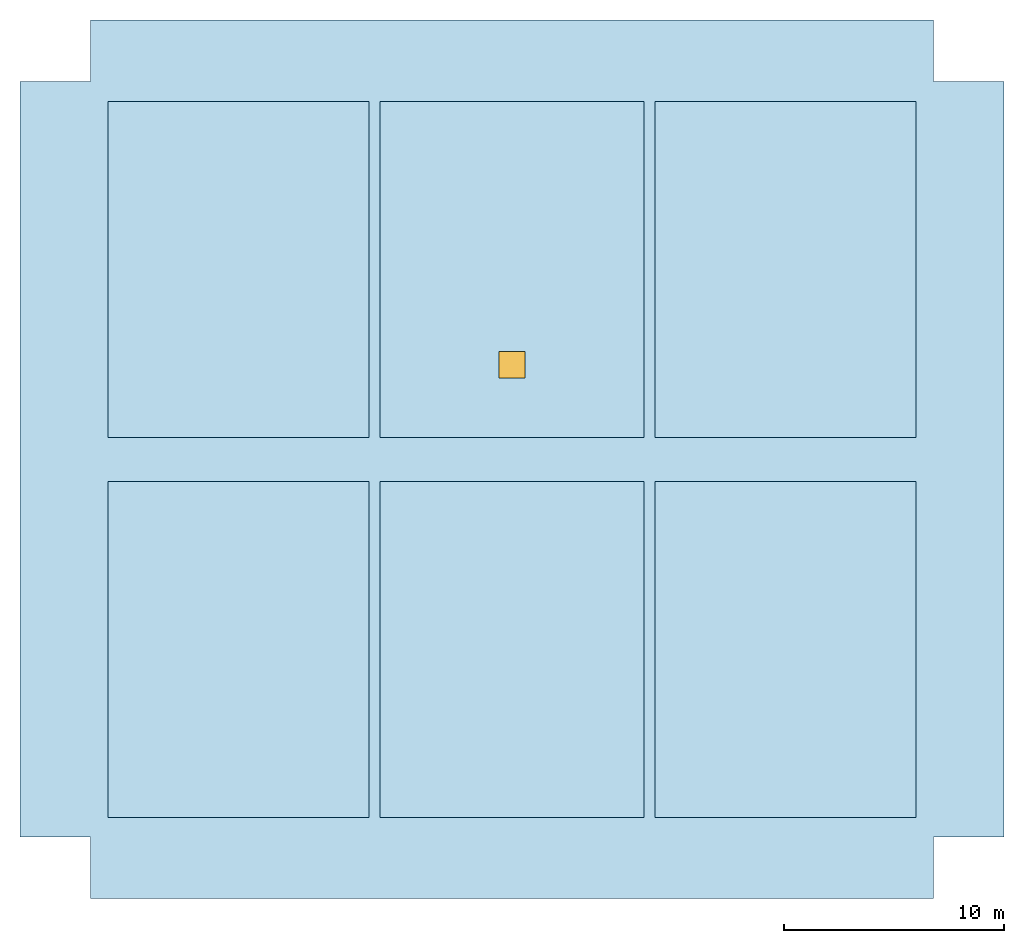
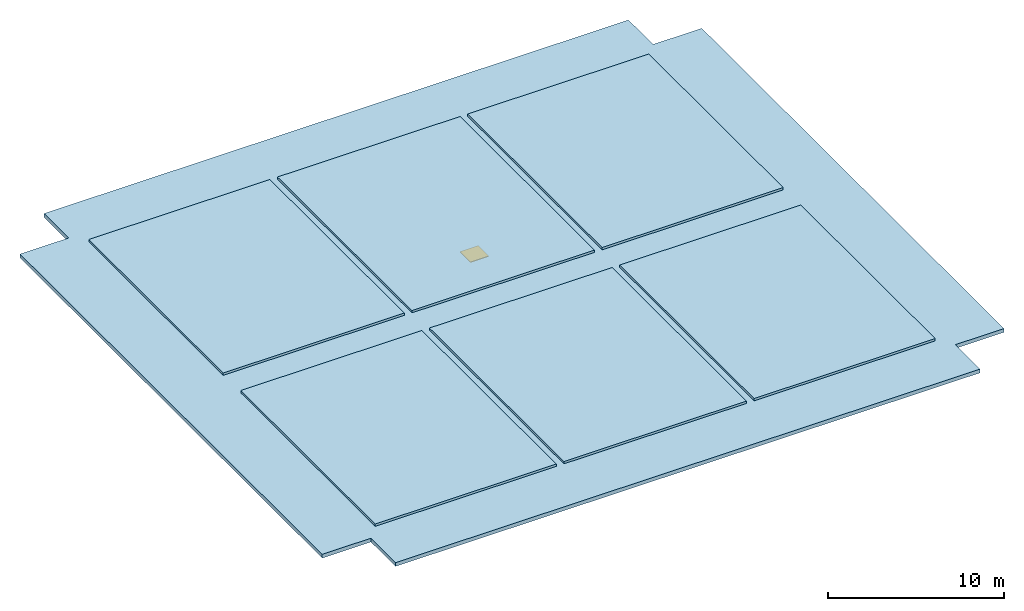
# One storey: 6 roofs, 1 slab, 1 window, 1 opening.
"""IFC4 building model written with IfcOpenShell, lengths in metres."""

from ifc_helpers import new_model, si_unit, direction, frame, origin, origin_2d, place, context, subcontext, project, spatial, polyline, rectangle, outline, extrude, material, layer, layer_set, type_object, element, fill, save


model = new_model("IFC4")

# Units and contexts
model_context = context("Model", 3, precision=1e-05, world=origin(), true_north=direction((0.0, 1.0)))
body_context = subcontext(model_context, "Body", "Model", "MODEL_VIEW")
ifc_project = project(units=[si_unit("LENGTHUNIT", "METRE"), si_unit("AREAUNIT", "SQUARE_METRE"), si_unit("VOLUMEUNIT", "CUBIC_METRE"), si_unit("PLANEANGLEUNIT", "RADIAN"), si_unit("MASSUNIT", "GRAM", prefix="KILO")], contexts=[model_context])

# Site, building, storey
site_placement = place(None, origin())
site = spatial("IfcSite", under=ifc_project, at=site_placement, CompositionType="ELEMENT")
building_placement = place(site_placement, origin())
building = spatial("IfcBuilding", under=site, at=building_placement, Name="Kovane Verandah Tower", CompositionType="ELEMENT")
storey_placement = place(building_placement, frame((0.0, 0.0, 359.800048828125)))
storey = spatial("IfcBuildingStorey", under=building, at=storey_placement, Name="RF", CompositionType="ELEMENT", Elevation=359.800048828125)

# Slab, opening, window
ifc_material_1 = material(Name="Concrete C45/55", Category="concrete")
ifc_layer_1 = layer(ifc_material_1, 0.260009765625)
ifc_layer_set_1 = layer_set([ifc_layer_1], Name="Concrete C45/55")
slab_type = type_object("IfcSlabType", Name="SL-CAN-260", PredefinedType="ROOF", material=ifc_layer_set_1)
slab_placement = place(storey_placement, frame((0.0, 0.0, -0.260009765625)))
slab = element("IfcSlab", 1, at=slab_placement, inside=storey, type_object=slab_type, Name="Observation Canopy Structural Deck", PredefinedType="ROOF", context=body_context, shape_type="SweptSolid", body=[
    extrude(outline(polyline([(20.800048828125, 7.5), (59.199951171875, 7.5), (59.199951171875, 10.300048828125), (62.39990234375, 10.300048828125), (62.39990234375, 44.699951171875), (59.199951171875, 44.699951171875), (59.199951171875, 47.5), (20.800048828125, 47.5), (20.800048828125, 44.699951171875), (17.60009765625, 44.699951171875), (17.60009765625, 10.300048828125), (20.800048828125, 10.300048828125), (20.800048828125, 7.5)])), origin(), (0.0, 0.0, 1.0), 0.260009765625),
])
opening_placement = place(slab_placement, frame((40.0, 31.800048828125, 0.0)))
opening = element("IfcOpeningElement", 2, at=opening_placement, cuts=slab, Name="Opening RH-01", PredefinedType="OPENING", context=body_context, shape_type="SweptSolid", body=[
    extrude(rectangle(XDim=1.199951171875, YDim=1.199951171875, at=origin_2d()), origin(), (0.0, 0.0, 1.0), 0.260009765625),
])
ifc_material_2 = material(Name="Galvanised Steel Insulated Roof Access Hatch", Category="steel")
window_type = type_object("IfcWindowType", Name="WN-HATCH-1200", PartitioningType="SINGLE_PANEL", PredefinedType="SKYLIGHT", material=ifc_material_2)
window_placement = place(opening_placement, frame((0.0, 0.0, 0.2099609375)))
window = element("IfcWindow", 3, at=window_placement, inside=storey, type_object=window_type, Name="RF Observation Canopy Maintenance Access Hatch", OverallHeight=1.199951171875, OverallWidth=1.199951171875, PartitioningType="SINGLE_PANEL", PredefinedType="SKYLIGHT", context=body_context, shape_type="SweptSolid", body=[
    extrude(rectangle(XDim=1.199951171875, YDim=1.199951171875, at=origin_2d()), origin(), (0.0, 0.0, 1.0), 0.050048828125),
])
fill(opening, window)

# Roofs
ifc_material_3 = material(Name="Champagne Anodised Aluminium Roof Deck", Category="aluminium")
ifc_layer_2 = layer(ifc_material_3, 0.159912109375)
ifc_layer_set_2 = layer_set([ifc_layer_2], Name="Champagne Anodised Aluminium Roof Deck")
roof_type = type_object("IfcRoofType", Name="RF-CANOPY-160", PredefinedType="FLAT_ROOF", material=ifc_layer_set_2)
roof_1_placement = place(storey_placement, origin())
element("IfcRoof", 4, at=roof_1_placement, inside=storey, type_object=roof_type, Name="Shaded Perforated Canopy Roof Bay 1", PredefinedType="FLAT_ROOF", context=body_context, shape_type="SweptSolid", body=[
    extrude(outline(polyline([(21.60009765625, 11.199951171875), (33.5, 11.199951171875), (33.5, 26.5), (21.60009765625, 26.5), (21.60009765625, 11.199951171875)])), origin(), (0.0, 0.0, 1.0), 0.159912109375),
])
roof_2_placement = place(storey_placement, origin())
element("IfcRoof", 5, at=roof_2_placement, inside=storey, type_object=roof_type, Name="Shaded Perforated Canopy Roof Bay 2", PredefinedType="FLAT_ROOF", context=body_context, shape_type="SweptSolid", body=[
    extrude(outline(polyline([(21.60009765625, 28.5), (33.5, 28.5), (33.5, 43.800048828125), (21.60009765625, 43.800048828125), (21.60009765625, 28.5)])), origin(), (0.0, 0.0, 1.0), 0.159912109375),
])
roof_3_placement = place(storey_placement, origin())
element("IfcRoof", 6, at=roof_3_placement, inside=storey, type_object=roof_type, Name="Shaded Perforated Canopy Roof Bay 3", PredefinedType="FLAT_ROOF", context=body_context, shape_type="SweptSolid", body=[
    extrude(outline(polyline([(34.0, 11.199951171875), (46.0, 11.199951171875), (46.0, 26.5), (34.0, 26.5), (34.0, 11.199951171875)])), origin(), (0.0, 0.0, 1.0), 0.159912109375),
])
roof_4_placement = place(storey_placement, origin())
element("IfcRoof", 7, at=roof_4_placement, inside=storey, type_object=roof_type, Name="Shaded Perforated Canopy Roof Bay 4", PredefinedType="FLAT_ROOF", context=body_context, shape_type="SweptSolid", body=[
    extrude(outline(polyline([(34.0, 28.5), (46.0, 28.5), (46.0, 43.800048828125), (34.0, 43.800048828125), (34.0, 28.5)])), origin(), (0.0, 0.0, 1.0), 0.159912109375),
])
roof_5_placement = place(storey_placement, origin())
element("IfcRoof", 8, at=roof_5_placement, inside=storey, type_object=roof_type, Name="Shaded Perforated Canopy Roof Bay 5", PredefinedType="FLAT_ROOF", context=body_context, shape_type="SweptSolid", body=[
    extrude(outline(polyline([(46.5, 11.199951171875), (58.39990234375, 11.199951171875), (58.39990234375, 26.5), (46.5, 26.5), (46.5, 11.199951171875)])), origin(), (0.0, 0.0, 1.0), 0.159912109375),
])
roof_6_placement = place(storey_placement, origin())
element("IfcRoof", 9, at=roof_6_placement, inside=storey, type_object=roof_type, Name="Shaded Perforated Canopy Roof Bay 6", PredefinedType="FLAT_ROOF", context=body_context, shape_type="SweptSolid", body=[
    extrude(outline(polyline([(46.5, 28.5), (58.39990234375, 28.5), (58.39990234375, 43.800048828125), (46.5, 43.800048828125), (46.5, 28.5)])), origin(), (0.0, 0.0, 1.0), 0.159912109375),
])

save(model, "model.ifc")
